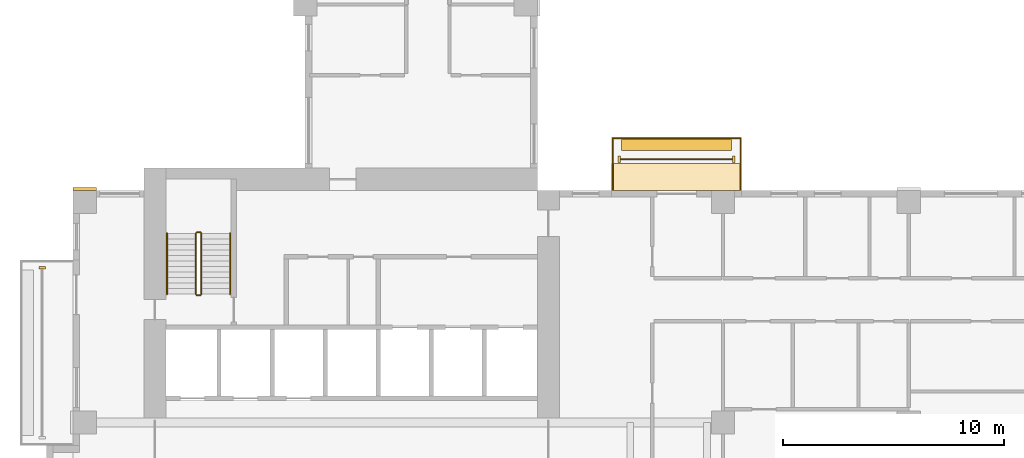
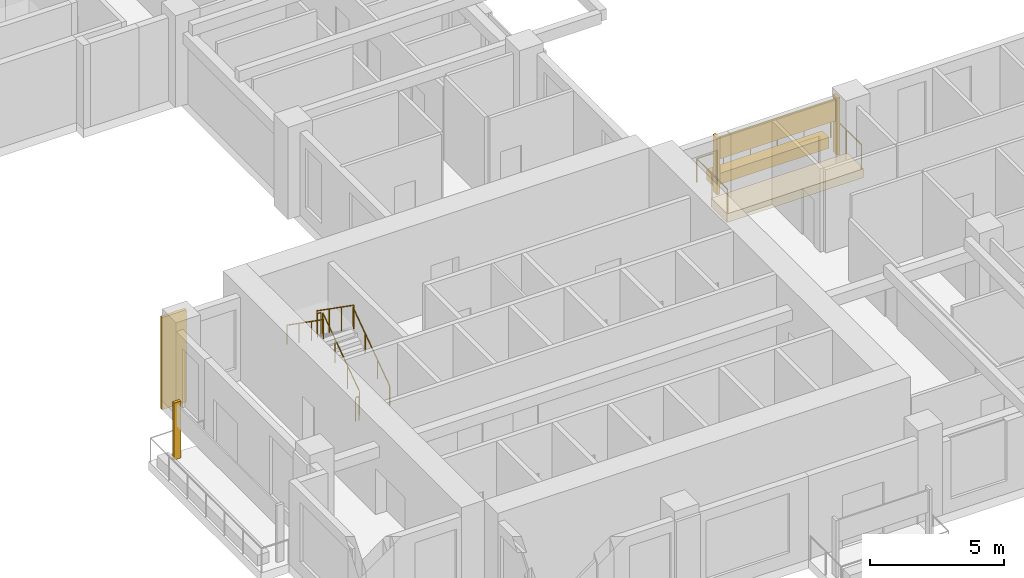
# One storey, part 11 of 14: 7 coverings, 7 railings.
"""IFC4 building model written with IfcOpenShell, lengths in metres."""

from ifc_helpers import new_model, si_unit, direction, frame, origin, origin_2d, place, context, subcontext, project, spatial, polyline, rectangle, circle, outline, extrude, source, transform, mapped, material, type_object, element, save


model = new_model("IFC4")

# Units and contexts
model_context = context("Model", 3, precision=1e-05, world=origin(), true_north=direction((0.0, 1.0)))
body_context = subcontext(model_context, "Body", "Model", "MODEL_VIEW")
ifc_project = project(units=[si_unit("LENGTHUNIT", "METRE"), si_unit("AREAUNIT", "SQUARE_METRE"), si_unit("VOLUMEUNIT", "CUBIC_METRE"), si_unit("PLANEANGLEUNIT", "RADIAN"), si_unit("MASSUNIT", "GRAM", prefix="KILO")], contexts=[model_context])

# Site, building, storey
site_placement = place(None, origin())
site = spatial("IfcSite", under=ifc_project, at=site_placement, CompositionType="ELEMENT")
building_placement = place(site_placement, origin())
building = spatial("IfcBuilding", under=site, at=building_placement, Name="Aurelian Terraces", CompositionType="ELEMENT")
storey_placement = place(building_placement, frame((0.0, 0.0, 128.7)))
storey = spatial("IfcBuildingStorey", under=building, at=storey_placement, Name="L28", CompositionType="ELEMENT", Elevation=128.7)

# Coverings
ifc_material_1 = material(Name="Terracotta rainscreen cladding relief", Category="masonry")
covering_type_1 = type_object("IfcCoveringType", Name="FIN-TC", PredefinedType="CLADDING", material=ifc_material_1)
shared_shape_1 = source(origin(), body_context, "Body", "SweptSolid", [
    extrude(rectangle(XDim=0.3, YDim=0.12, at=origin_2d()), origin(), (0.0, 0.0, 1.0), 2.6),
])
covering_1_placement = place(storey_placement, frame((-1.4, 17.5, 0.0), z_axis=(0.0, 0.0, 1.0), x_axis=(1.0, 0.0, 0.0)))
element("IfcCovering", 1, at=covering_1_placement, inside=storey, type_object=covering_type_1, Name="FIN L28 L28-F22-44.1", PredefinedType="CLADDING", context=body_context, shape_type="MappedRepresentation", body=[
    mapped(shared_shape_1, transform((0.0, 0.0, 0.0), scale=1.0)),
])
shared_shape_2 = source(origin(), body_context, "Body", "SweptSolid", [
    extrude(rectangle(XDim=0.12, YDim=0.3, at=origin_2d()), origin(), (0.0, 0.0, 1.0), 2.6),
])
for number, where, z_axis, x_axis, name in (
    (2, (29.89, 22.4, 0.0), (0.0, 0.0, 1.0), (1.0, 0.0, 0.0), "FIN L28 L28-F07-23.1"),
    (3, (24.71, 22.4, 0.0), (0.0, 0.0, 1.0), (1.0, 0.0, 0.0), "FIN L28 L28-F07-23.2"),
):
    element("IfcCovering", number, at=place(storey_placement, frame(where, z_axis=z_axis, x_axis=x_axis)), inside=storey, type_object=covering_type_1, Name=name, PredefinedType="CLADDING", context=body_context, shape_type="MappedRepresentation", body=[
        mapped(shared_shape_2, transform((0.0, 0.0, 0.0), scale=1.0)),
    ])
covering_type_2 = type_object("IfcCoveringType", Name="BAGUETTE-TC", PredefinedType="CLADDING", material=ifc_material_1)
shared_shape_3 = source(origin(), body_context, "Body", "SweptSolid", [
    extrude(rectangle(XDim=1.05, YDim=0.12, at=origin_2d()), origin(), (0.0, 0.0, 1.0), 4.2),
])
covering_2_placement = place(storey_placement, frame((0.525, 21.06, -0.4), z_axis=(0.0, 0.0, 1.0), x_axis=(1.0, 0.0, 0.0)))
element("IfcCovering", 4, at=covering_2_placement, inside=storey, type_object=covering_type_2, Name="BAGUETTE pier L28 6", PredefinedType="CLADDING", context=body_context, shape_type="MappedRepresentation", body=[
    mapped(shared_shape_3, transform((0.0, 0.0, 0.0), scale=1.0)),
])

# Railing
ifc_material_2 = material(Name="Anodised aluminium", Category="aluminium")
railing_type_1 = type_object("IfcRailingType", Name="GUARD-1100", PredefinedType="GUARDRAIL", material=ifc_material_2)
shared_shape_4 = source(origin(), body_context, "Body", "SweptSolid", [
    extrude(circle(Radius=0.024, at=origin_2d()), frame((0.0, 0.0, 1.076), z_axis=(0.0, 1.0, 0.0), x_axis=(-1.0, 0.0, 0.0)), (0.0, 0.0, 1.0), 2.3),
    extrude(circle(Radius=0.024, at=origin_2d()), frame((0.0, 2.3, 1.076), z_axis=(-1.0, 0.0, 0.0), x_axis=(0.0, -1.0, 0.0)), (0.0, 0.0, 1.0), 5.78),
    extrude(circle(Radius=0.024, at=origin_2d()), frame((-5.78, 2.3, 1.076), z_axis=(0.0, -1.0, 0.0), x_axis=(1.0, 0.0, 0.0)), (0.0, 0.0, 1.0), 2.3),
    extrude(circle(Radius=0.021, at=origin_2d()), origin(), (0.0, 0.0, 1.0), 1.052),
    extrude(circle(Radius=0.021, at=origin_2d()), frame((0.0, 1.15, 0.0)), (0.0, 0.0, 1.0), 1.052),
    extrude(circle(Radius=0.021, at=origin_2d()), frame((0.0, 2.3, 0.0)), (0.0, 0.0, 1.0), 1.052),
    extrude(circle(Radius=0.021, at=origin_2d()), frame((-1.156, 2.3, 0.0)), (0.0, 0.0, 1.0), 1.052),
    extrude(circle(Radius=0.021, at=origin_2d()), frame((-2.312, 2.3, 0.0)), (0.0, 0.0, 1.0), 1.052),
    extrude(circle(Radius=0.021, at=origin_2d()), frame((-3.468, 2.3, 0.0)), (0.0, 0.0, 1.0), 1.052),
    extrude(circle(Radius=0.021, at=origin_2d()), frame((-4.624, 2.3, 0.0)), (0.0, 0.0, 1.0), 1.052),
    extrude(circle(Radius=0.021, at=origin_2d()), frame((-5.78, 2.3, 0.0)), (0.0, 0.0, 1.0), 1.052),
    extrude(circle(Radius=0.021, at=origin_2d()), frame((-5.78, 1.15, 0.0)), (0.0, 0.0, 1.0), 1.052),
    extrude(circle(Radius=0.021, at=origin_2d()), frame((-5.78, 0.0, 0.0)), (0.0, 0.0, 1.0), 1.052),
])
railing_1_placement = place(storey_placement, frame((30.19, 21.05, 0.0)))
element("IfcRailing", 5, at=railing_1_placement, inside=storey, type_object=railing_type_1, Name="Balcony guard L28 F07.23", PredefinedType="GUARDRAIL", context=body_context, shape_type="MappedRepresentation", body=[
    mapped(shared_shape_4, transform((0.0, 0.0, 0.0), scale=1.0)),
])

# Coverings
ifc_material_3 = material(Name="Terracotta planter with planting soil", Category="masonry")
covering_type_3 = type_object("IfcCoveringType", Name="PLANTER-TROUGH", PredefinedType="USERDEFINED", material=ifc_material_3)
shared_shape_5 = source(origin(), body_context, "Body", "SweptSolid", [
    extrude(rectangle(XDim=4.98, YDim=0.5, at=origin_2d()), origin(), (0.0, 0.0, 1.0), 0.5),
])
covering_3_placement = place(storey_placement, frame((27.3, 23.05, 0.0), z_axis=(0.0, 0.0, 1.0), x_axis=(1.0, 0.0, 0.0)))
element("IfcCovering", 6, at=covering_3_placement, inside=storey, type_object=covering_type_3, Name="PLANTER L28 L28-F07-23", ObjectType="PLANTER", PredefinedType="USERDEFINED", context=body_context, shape_type="MappedRepresentation", body=[
    mapped(shared_shape_5, transform((0.0, 0.0, 0.0), scale=1.0)),
])
ifc_material_4 = material(Name="Terracotta rainscreen cladding", Category="masonry")
covering_type_4 = type_object("IfcCoveringType", Name="SCREEN-TC", PredefinedType="CLADDING", material=ifc_material_4)
shared_shape_6 = source(origin(), body_context, "Body", "SweptSolid", [
    extrude(rectangle(XDim=5.06, YDim=0.06, at=origin_2d()), origin(), (0.0, 0.0, 1.0), 1.0),
])
covering_4_placement = place(storey_placement, frame((27.3, 22.4, 1.5), z_axis=(0.0, 0.0, 1.0), x_axis=(1.0, 0.0, 0.0)))
element("IfcCovering", 7, at=covering_4_placement, inside=storey, type_object=covering_type_4, Name="SCREEN L28 L28-F07-23", PredefinedType="CLADDING", context=body_context, shape_type="MappedRepresentation", body=[
    mapped(shared_shape_6, transform((0.0, 0.0, 0.0), scale=1.0)),
])
ifc_material_5 = material(Name="Terracotta roof tiles on membrane", Category="masonry")
covering_type_5 = type_object("IfcCoveringType", Name="Bay roof cover", PredefinedType="ROOFING", material=ifc_material_5)
shared_shape_7 = source(origin(), body_context, "Body", "SweptSolid", [
    extrude(outline(polyline([(24.36, 21.0), (24.36, 22.2), (30.24, 22.2), (30.24, 21.0), (24.36, 21.0)])), origin(), (0.0, 0.0, 1.0), 0.4),
])
covering_5_placement = place(storey_placement, frame((0.0, 0.0, -0.4)))
element("IfcCovering", 8, at=covering_5_placement, inside=storey, type_object=covering_type_5, Name="Bay roof L28 24.36_21.00_30.24_22.20", PredefinedType="ROOFING", context=body_context, shape_type="MappedRepresentation", body=[
    mapped(shared_shape_7, transform((0.0, 0.0, 0.0), scale=1.0)),
])

# Railings
ifc_material_6 = material(Name="Stainless steel", Category="steel")
railing_type_2 = type_object("IfcRailingType", Name="Stair guard 1100", PredefinedType="GUARDRAIL", material=ifc_material_6)
shared_shape_8 = source(origin(), body_context, "Body", "SweptSolid", [
    extrude(circle(Radius=0.024, at=origin_2d()), frame((0.0, 0.0, 1.076), z_axis=(-1.0, 0.0, 0.0), x_axis=(0.0, -1.0, 0.0)), (0.0, 0.0, 1.0), 0.15),
    extrude(circle(Radius=0.021, at=origin_2d()), origin(), (0.0, 0.0, 1.0), 1.052),
    extrude(circle(Radius=0.021, at=origin_2d()), frame((-0.15, 0.0, 0.0)), (0.0, 0.0, 1.0), 1.052),
])
for number, where, name in (
    (9, (5.75, 19.1, 2.1), "L28 S1 stair guard 2"),
    (10, (5.75, 16.25, 0.0), "L28 S1 stair guard 4"),
):
    element("IfcRailing", number, at=place(storey_placement, frame(where)), inside=storey, type_object=railing_type_2, Name=name, PredefinedType="GUARDRAIL", context=body_context, shape_type="MappedRepresentation", body=[
        mapped(shared_shape_8, transform((0.0, 0.0, 0.0), scale=1.0)),
    ])
shared_shape_9 = source(origin(), body_context, "Body", "SweptSolid", [
    extrude(circle(Radius=0.024, at=origin_2d()), frame((0.0, 0.0, 1.076), z_axis=(0.0, 0.819231920519, 0.573462344363), x_axis=(-1.0, 0.0, 0.0)), (0.0, 0.0, 1.0), 3.3568),
    extrude(circle(Radius=0.021, at=origin_2d()), origin(), (0.0, 0.0, 1.0), 1.052),
    extrude(circle(Radius=0.021, at=origin_2d()), frame((0.0, 0.9167, 0.6417)), (0.0, 0.0, 1.0), 1.052),
    extrude(circle(Radius=0.021, at=origin_2d()), frame((0.0, 1.8333, 1.2833)), (0.0, 0.0, 1.0), 1.052),
    extrude(circle(Radius=0.021, at=origin_2d()), frame((0.0, 2.75, 1.925)), (0.0, 0.0, 1.0), 1.052),
])
railing_2_placement = place(storey_placement, frame((5.8, 16.3, 0.175)))
element("IfcRailing", 11, at=railing_2_placement, inside=storey, type_object=railing_type_2, Name="L28 S1 stair guard 1", PredefinedType="GUARDRAIL", context=body_context, shape_type="MappedRepresentation", body=[
    mapped(shared_shape_9, transform((0.0, 0.0, 0.0), scale=1.0)),
])
shared_shape_10 = source(origin(), body_context, "Body", "SweptSolid", [
    extrude(circle(Radius=0.024, at=origin_2d()), frame((0.0, 0.0, 1.076), z_axis=(0.0, -0.819231920519, 0.573462344363), x_axis=(1.0, 0.0, 0.0)), (0.0, 0.0, 1.0), 3.3568),
    extrude(circle(Radius=0.021, at=origin_2d()), origin(), (0.0, 0.0, 1.0), 1.052),
    extrude(circle(Radius=0.021, at=origin_2d()), frame((0.0, -0.9167, 0.6417)), (0.0, 0.0, 1.0), 1.052),
    extrude(circle(Radius=0.021, at=origin_2d()), frame((0.0, -1.8333, 1.2833)), (0.0, 0.0, 1.0), 1.052),
    extrude(circle(Radius=0.021, at=origin_2d()), frame((0.0, -2.75, 1.925)), (0.0, 0.0, 1.0), 1.052),
])
railing_3_placement = place(storey_placement, frame((5.55, 19.05, 2.275)))
element("IfcRailing", 12, at=railing_3_placement, inside=storey, type_object=railing_type_2, Name="L28 S1 stair guard 3", PredefinedType="GUARDRAIL", context=body_context, shape_type="MappedRepresentation", body=[
    mapped(shared_shape_10, transform((0.0, 0.0, 0.0), scale=1.0)),
])
railing_type_3 = type_object("IfcRailingType", Name="Stair handrail", PredefinedType="HANDRAIL", material=ifc_material_6)
shared_shape_11 = source(origin(), body_context, "Body", "SweptSolid", [
    extrude(circle(Radius=0.024, at=origin_2d()), frame((0.0, 0.0, 0.876), z_axis=(0.0, 0.819231920519, 0.573462344363), x_axis=(-1.0, 0.0, 0.0)), (0.0, 0.0, 1.0), 3.3568),
    extrude(circle(Radius=0.021, at=origin_2d()), origin(), (0.0, 0.0, 1.0), 0.852),
    extrude(circle(Radius=0.021, at=origin_2d()), frame((0.0, 0.9167, 0.6417)), (0.0, 0.0, 1.0), 0.852),
    extrude(circle(Radius=0.021, at=origin_2d()), frame((0.0, 1.8333, 1.2833)), (0.0, 0.0, 1.0), 0.852),
    extrude(circle(Radius=0.021, at=origin_2d()), frame((0.0, 2.75, 1.925)), (0.0, 0.0, 1.0), 0.852),
])
railing_4_placement = place(storey_placement, frame((7.1, 16.3, 0.175)))
element("IfcRailing", 13, at=railing_4_placement, inside=storey, type_object=railing_type_3, Name="L28 S1 stair handrail 1", PredefinedType="HANDRAIL", context=body_context, shape_type="MappedRepresentation", body=[
    mapped(shared_shape_11, transform((0.0, 0.0, 0.0), scale=1.0)),
])
shared_shape_12 = source(origin(), body_context, "Body", "SweptSolid", [
    extrude(circle(Radius=0.024, at=origin_2d()), frame((0.0, 0.0, 0.876), z_axis=(0.0, -0.819231920519, 0.573462344363), x_axis=(1.0, 0.0, 0.0)), (0.0, 0.0, 1.0), 3.3568),
    extrude(circle(Radius=0.021, at=origin_2d()), origin(), (0.0, 0.0, 1.0), 0.852),
    extrude(circle(Radius=0.021, at=origin_2d()), frame((0.0, -0.9167, 0.6417)), (0.0, 0.0, 1.0), 0.852),
    extrude(circle(Radius=0.021, at=origin_2d()), frame((0.0, -1.8333, 1.2833)), (0.0, 0.0, 1.0), 0.852),
    extrude(circle(Radius=0.021, at=origin_2d()), frame((0.0, -2.75, 1.925)), (0.0, 0.0, 1.0), 0.852),
])
railing_5_placement = place(storey_placement, frame((4.25, 19.05, 2.275)))
element("IfcRailing", 14, at=railing_5_placement, inside=storey, type_object=railing_type_3, Name="L28 S1 stair handrail 2", PredefinedType="HANDRAIL", context=body_context, shape_type="MappedRepresentation", body=[
    mapped(shared_shape_12, transform((0.0, 0.0, 0.0), scale=1.0)),
])

save(model, "model.ifc")
